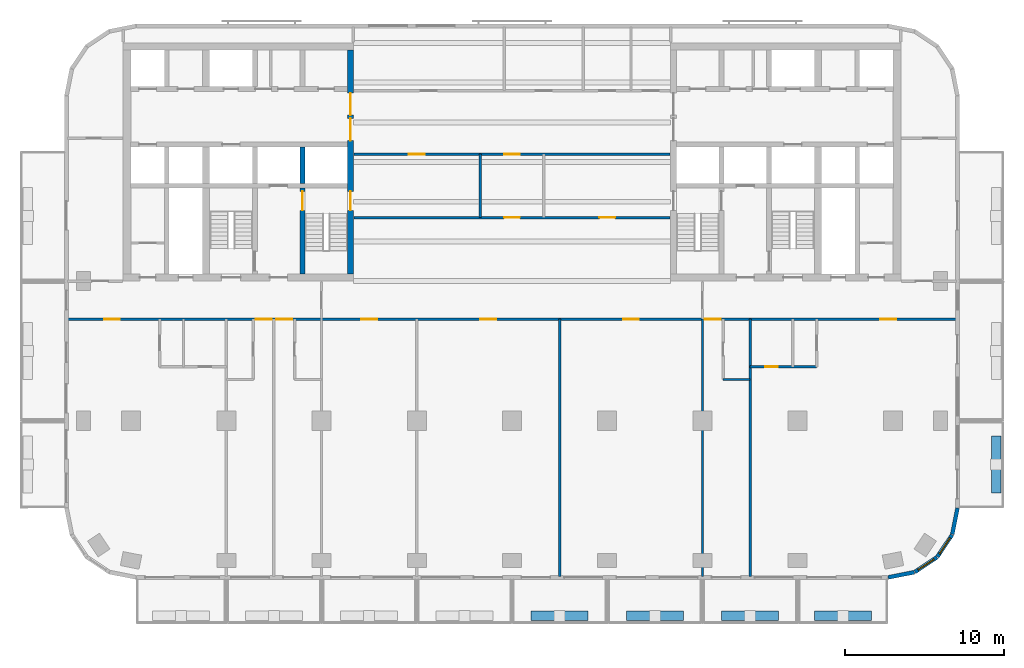
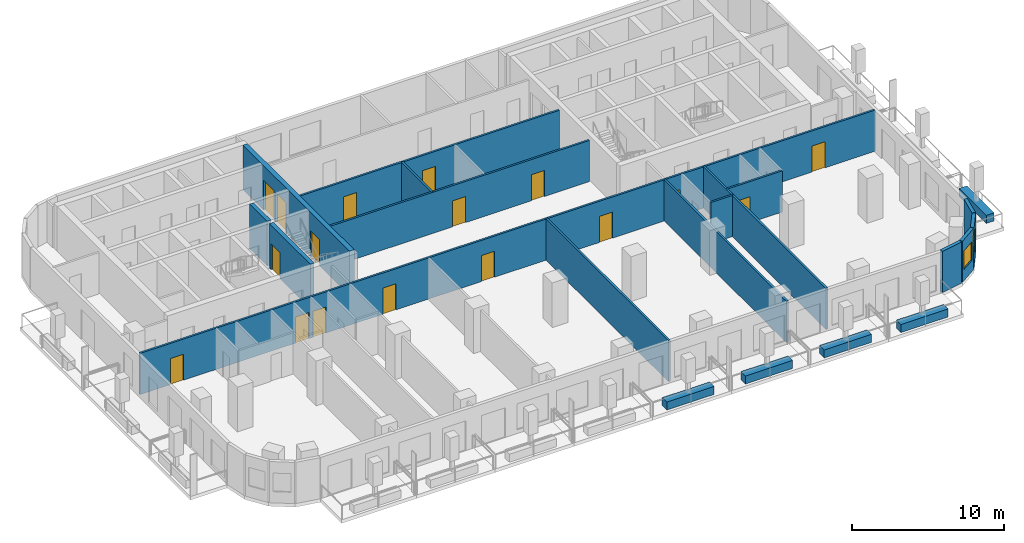
# One storey, part 4 of 11: 21 walls, 17 doors, 2 windows, 19 openings.
"""IFC4 building model written with IfcOpenShell, lengths in metres."""

from ifc_helpers import new_model, si_unit, direction, frame, frame_2d, origin, place, context, subcontext, project, spatial, rectangle, extrude, material, layer, layer_set, type_object, element, fill, save


model = new_model("IFC4")

# Units and contexts
model_context = context("Model", 3, precision=1e-05, world=origin(), true_north=direction((0.0, 1.0)))
body_context = subcontext(model_context, "Body", "Model", "MODEL_VIEW")
ifc_project = project(units=[si_unit("LENGTHUNIT", "METRE"), si_unit("AREAUNIT", "SQUARE_METRE"), si_unit("VOLUMEUNIT", "CUBIC_METRE"), si_unit("PLANEANGLEUNIT", "RADIAN"), si_unit("MASSUNIT", "GRAM", prefix="KILO")], contexts=[model_context])

# Site, building, storey
site_placement = place(None, origin())
site = spatial("IfcSite", under=ifc_project, at=site_placement, CompositionType="ELEMENT")
building_placement = place(site_placement, origin())
building = spatial("IfcBuilding", under=site, at=building_placement, Name="Torana Hotel and Residences", CompositionType="ELEMENT")
storey_placement = place(building_placement, frame((0.0, 0.0, 134.39990234375)))
storey = spatial("IfcBuildingStorey", under=building, at=storey_placement, Name="L34", CompositionType="ELEMENT", Elevation=134.39990234375)

# Wall
ifc_material_1 = material(Name="Concrete C70/85", Category="concrete")
ifc_layer_1 = layer(ifc_material_1, 0.300048828125)
ifc_layer_set_1 = layer_set([ifc_layer_1], Name="CORE WALL 300 C70/85")
wall_type_1 = type_object("IfcWallType", Name="CORE WALL 300 C70/85", PredefinedType="SHEAR", material=ifc_layer_set_1)
wall_1_placement = place(storey_placement, frame((-13.199951171875, -8.85009765625, 0.0), z_axis=(0.0, 0.0, 1.0), x_axis=(0.0, 1.0, 0.0)))
element("IfcWall", 1, at=wall_1_placement, inside=storey, type_object=wall_type_1, Name="Core wall W x3.05-S", PredefinedType="SHEAR", context=body_context, shape_type="SweptSolid", body=[
    extrude(rectangle(XDim=2.300048828125, YDim=0.300048828125, at=frame_2d((1.14990234375, 0.0))), origin(), (0.0, 0.0, 1.0), 3.60009765625),
])

# Wall, opening, door
wall_2_placement = place(storey_placement, frame((-13.199951171875, -14.550048828125, 0.0), z_axis=(0.0, 0.0, 1.0), x_axis=(0.0, 1.0, 0.0)))
wall_2 = element("IfcWall", 2, at=wall_2_placement, inside=storey, type_object=wall_type_1, Name="Core wall W x3.05-band", PredefinedType="SHEAR", context=body_context, shape_type="SweptSolid", body=[
    extrude(rectangle(XDim=5.400146484375, YDim=0.300048828125, at=frame_2d((2.7001953125, 0.0))), origin(), (0.0, 0.0, 1.0), 3.60009765625),
])
opening_1_placement = place(wall_2_placement, frame((4.0, 0.0, 0.0)))
opening_1 = element("IfcOpeningElement", 3, at=opening_1_placement, cuts=wall_2, Name="Opening L34-13", PredefinedType="OPENING", context=body_context, shape_type="SweptSolid", body=[
    extrude(rectangle(XDim=1.199951171875, YDim=2.10009765625, at=frame_2d((0.60009765625, 1.050048828125))), frame((0.0, 0.159912109375, 0.0), z_axis=(0.0, -1.0, 0.0), x_axis=(1.0, 0.0, 0.0)), (0.0, 0.0, 1.0), 0.320068359375),
])
ifc_material_2 = material(Name="Steel S235", Category="steel")
door_type_1 = type_object("IfcDoorType", Name="STAIR FIRE DOOR D3 1200x2100", OperationType="SINGLE_SWING_LEFT", PredefinedType="DOOR", material=ifc_material_2)
door_1_placement = place(opening_1_placement, frame((0.60009765625, 0.0, 0.0), z_axis=(0.0, 0.0, 1.0), x_axis=(-1.0, 0.0, 0.0)))
door_1 = element("IfcDoor", 4, at=door_1_placement, inside=storey, type_object=door_type_1, Name="Stair-A-lobby door L34", OperationType="SINGLE_SWING_RIGHT", OverallHeight=2.10009765625, OverallWidth=1.199951171875, PredefinedType="DOOR", context=body_context, shape_type="SweptSolid", body=[
    extrude(rectangle(XDim=1.199951171875, YDim=2.10009765625, at=frame_2d((0.0, 1.050048828125))), frame((0.0, -0.02490234375, 0.0), z_axis=(0.0, 1.0, 0.0), x_axis=(-1.0, 0.0, 0.0)), (0.0, 0.0, 1.0), 0.050048828125),
])
fill(opening_1, door_1)

# Wall, openings, doors
ifc_material_3 = material(Name="Concrete C70/85", Category="concrete")
ifc_layer_2 = layer(ifc_material_3, 0.35009765625)
ifc_layer_set_2 = layer_set([ifc_layer_2], Name="CORE WALL 350 C70/85")
wall_type_2 = type_object("IfcWallType", Name="CORE WALL 350 C70/85", PredefinedType="SHEAR", material=ifc_layer_set_2)
wall_3_placement = place(storey_placement, frame((-10.175048828125, -14.550048828125, 0.0), z_axis=(0.0, 0.0, 1.0), x_axis=(0.0, 1.0, 0.0)))
wall_3 = element("IfcWall", 5, at=wall_3_placement, inside=storey, type_object=wall_type_2, Name="Core wall W arch", PredefinedType="SHEAR", context=body_context, shape_type="SweptSolid", body=[
    extrude(rectangle(XDim=14.10009765625, YDim=0.35009765625, at=frame_2d((7.050048828125, 0.0))), origin(), (0.0, 0.0, 1.0), 3.60009765625),
])
opening_2_placement = place(wall_3_placement, frame((8.39990234375, 0.0, 0.0)))
opening_2 = element("IfcOpeningElement", 6, at=opening_2_placement, cuts=wall_3, Name="Opening L34-01", PredefinedType="OPENING", context=body_context, shape_type="SweptSolid", body=[
    extrude(rectangle(XDim=1.39990234375, YDim=2.39990234375, at=frame_2d((0.699951171875, 1.199951171875))), frame((0.0, 0.18505859375, 0.0), z_axis=(0.0, -1.0, 0.0), x_axis=(1.0, 0.0, 0.0)), (0.0, 0.0, 1.0), 0.3701171875),
])
opening_3_placement = place(wall_3_placement, frame((10.0, 0.0, 0.0)))
opening_3 = element("IfcOpeningElement", 7, at=opening_3_placement, cuts=wall_3, Name="Opening L34-02", PredefinedType="OPENING", context=body_context, shape_type="SweptSolid", body=[
    extrude(rectangle(XDim=1.39990234375, YDim=2.39990234375, at=frame_2d((0.699951171875, 1.199951171875))), frame((0.0, 0.18505859375, 0.0), z_axis=(0.0, -1.0, 0.0), x_axis=(1.0, 0.0, 0.0)), (0.0, 0.0, 1.0), 0.3701171875),
])
opening_4_placement = place(wall_3_placement, frame((4.0, 0.0, 0.0)))
opening_4 = element("IfcOpeningElement", 8, at=opening_4_placement, cuts=wall_3, Name="Opening L34-03", PredefinedType="OPENING", context=body_context, shape_type="SweptSolid", body=[
    extrude(rectangle(XDim=1.199951171875, YDim=2.10009765625, at=frame_2d((0.60009765625, 1.050048828125))), frame((0.0, 0.18505859375, 0.0), z_axis=(0.0, -1.0, 0.0), x_axis=(1.0, 0.0, 0.0)), (0.0, 0.0, 1.0), 0.3701171875),
])
ifc_material_4 = material(Name="Steel S235", Category="steel")
door_type_2 = type_object("IfcDoorType", Name="LOBBY FIRE DOOR D4 1400x2400", OperationType="DOUBLE_DOOR_SINGLE_SWING", PredefinedType="DOOR", material=ifc_material_4)
door_2_placement = place(opening_2_placement, origin())
door_2 = element("IfcDoor", 9, at=door_2_placement, inside=storey, type_object=door_type_2, Name="Lobby-1 door L34", OperationType="DOUBLE_DOOR_SINGLE_SWING", OverallHeight=2.39990234375, OverallWidth=1.39990234375, PredefinedType="DOOR", context=body_context, shape_type="SweptSolid", body=[
    extrude(rectangle(XDim=1.39990234375, YDim=2.39990234375, at=frame_2d((0.699951171875, 1.199951171875))), frame((0.0, 0.02490234375, 0.0), z_axis=(0.0, -1.0, 0.0), x_axis=(1.0, 0.0, 0.0)), (0.0, 0.0, 1.0), 0.050048828125),
])
fill(opening_2, door_2)
door_3_placement = place(opening_3_placement, origin())
door_3 = element("IfcDoor", 10, at=door_3_placement, inside=storey, type_object=door_type_2, Name="Lobby-2 door L34", OperationType="DOUBLE_DOOR_SINGLE_SWING", OverallHeight=2.39990234375, OverallWidth=1.39990234375, PredefinedType="DOOR", context=body_context, shape_type="SweptSolid", body=[
    extrude(rectangle(XDim=1.39990234375, YDim=2.39990234375, at=frame_2d((0.699951171875, 1.199951171875))), frame((0.0, 0.02490234375, 0.0), z_axis=(0.0, -1.0, 0.0), x_axis=(1.0, 0.0, 0.0)), (0.0, 0.0, 1.0), 0.050048828125),
])
fill(opening_3, door_3)
door_4_placement = place(opening_4_placement, origin())
door_4 = element("IfcDoor", 11, at=door_4_placement, inside=storey, type_object=door_type_1, Name="Stair-A door L34", OperationType="SINGLE_SWING_LEFT", OverallHeight=2.10009765625, OverallWidth=1.199951171875, PredefinedType="DOOR", context=body_context, shape_type="SweptSolid", body=[
    extrude(rectangle(XDim=1.199951171875, YDim=2.10009765625, at=frame_2d((0.60009765625, 1.050048828125))), frame((0.0, 0.02490234375, 0.0), z_axis=(0.0, -1.0, 0.0), x_axis=(1.0, 0.0, 0.0)), (0.0, 0.0, 1.0), 0.050048828125),
])
fill(opening_4, door_4)

# Wall
ifc_material_5 = material(Name="Black aluminium composite panel", Category="aluminium")
ifc_layer_3 = layer(ifc_material_5, 0.00390625, Name="Cladding", Category="cladding")
ifc_material_6 = material(Name="Ventilated air cavity")
ifc_layer_4 = layer(ifc_material_6, 0.0400390625, Name="Ventilated cavity", Category="cavity")
ifc_material_7 = material(Name="Mineral wool insulation")
ifc_layer_5 = layer(ifc_material_7, 0.090087890625, Name="Insulation", Category="insulation")
ifc_material_8 = material(Name="Steel S280GD", Category="steel")
ifc_layer_6 = layer(ifc_material_8, 0.092041015625, Name="Steel stud frame", Category="structure")
ifc_material_9 = material(Name="Fire rated plasterboard")
ifc_layer_7 = layer(ifc_material_9, 0.011962890625, Name="Inner board", Category="finish")
ifc_layer_8 = layer(ifc_material_9, 0.011962890625, Name="Second board", Category="finish")
ifc_layer_set_3 = layer_set([ifc_layer_3, ifc_layer_4, ifc_layer_5, ifc_layer_6, ifc_layer_7, ifc_layer_8], Name="EW1 EXTERNAL WALL BLACK METAL CLAD 250")
wall_type_3 = type_object("IfcWallType", Name="EW1 EXTERNAL WALL BLACK METAL CLAD 250", PredefinedType="SOLIDWALL", material=ifc_layer_set_3)
wall_4_placement = place(storey_placement, frame((23.69970703125, -33.672607421875, 0.0), z_axis=(0.0, 0.0, 1.0), x_axis=(0.980775640221, 0.19513878023, 0.0)))
element("IfcWall", 12, at=wall_4_placement, inside=storey, type_object=wall_type_3, Name="External wall L34 e0.15", PredefinedType="SOLIDWALL", context=body_context, shape_type="SweptSolid", body=[
    extrude(rectangle(XDim=1.681396484375, YDim=0.25, at=frame_2d((0.8408203125, 0.0))), origin(), (0.0, 0.0, 1.0), 3.320068359375),
])

# Wall, opening, window
wall_5_placement = place(storey_placement, frame((25.39404296875, -33.325927734375, 0.0), z_axis=(0.0, 0.0, 1.0), x_axis=(0.831482937015, 0.55555029066, 0.0)))
wall_5 = element("IfcWall", 13, at=wall_5_placement, inside=storey, type_object=wall_type_3, Name="External wall L34 e0.16", PredefinedType="SOLIDWALL", context=body_context, shape_type="SweptSolid", body=[
    extrude(rectangle(XDim=1.65625, YDim=0.25, at=frame_2d((0.828125, 0.0))), origin(), (0.0, 0.0, 1.0), 3.320068359375),
])
opening_5_placement = place(wall_5_placement, frame((0.228271484375, 0.0, 0.89990234375)))
opening_5 = element("IfcOpeningElement", 14, at=opening_5_placement, cuts=wall_5, Name="Opening W5", PredefinedType="OPENING", context=body_context, shape_type="SweptSolid", body=[
    extrude(rectangle(XDim=1.199951171875, YDim=1.5, at=frame_2d((0.60009765625, 0.75))), frame((0.0, 0.135009765625, 0.0), z_axis=(0.0, -1.0, 0.0), x_axis=(1.0, 0.0, 0.0)), (0.0, 0.0, 1.0), 0.27001953125),
])
ifc_material_10 = material(Name="Dark glass in black aluminium frame", Category="aluminium")
window_type = type_object("IfcWindowType", Name="W5 CORNER FACET WINDOW 1200x1500", PartitioningType="SINGLE_PANEL", PredefinedType="WINDOW", material=ifc_material_10)
window_1_placement = place(opening_5_placement, origin())
window_1 = element("IfcWindow", 15, at=window_1_placement, inside=storey, type_object=window_type, Name="Window L34 e0.16", OverallHeight=1.5, OverallWidth=1.199951171875, PartitioningType="SINGLE_PANEL", PredefinedType="WINDOW", context=body_context, shape_type="SweptSolid", body=[
    extrude(rectangle(XDim=1.199951171875, YDim=1.5, at=frame_2d((0.60009765625, 0.75))), frame((0.0, 0.030029296875, 0.0), z_axis=(0.0, -1.0, 0.0), x_axis=(1.0, 0.0, 0.0)), (0.0, 0.0, 1.0), 0.06005859375),
])
fill(opening_5, window_1)

wall_6_placement = place(storey_placement, frame((26.8056640625, -32.37109375, 0.0), z_axis=(0.0, 0.0, 1.0), x_axis=(0.55555029066, 0.831482937015, 0.0)))
wall_6 = element("IfcWall", 16, at=wall_6_placement, inside=storey, type_object=wall_type_3, Name="External wall L34 e0.17", PredefinedType="SOLIDWALL", context=body_context, shape_type="SweptSolid", body=[
    extrude(rectangle(XDim=1.65625, YDim=0.25, at=frame_2d((0.828125, 0.0))), origin(), (0.0, 0.0, 1.0), 3.320068359375),
])
opening_6_placement = place(wall_6_placement, frame((0.228271484375, 0.0, 0.89990234375)))
opening_6 = element("IfcOpeningElement", 17, at=opening_6_placement, cuts=wall_6, Name="Opening W5", PredefinedType="OPENING", context=body_context, shape_type="SweptSolid", body=[
    extrude(rectangle(XDim=1.199951171875, YDim=1.5, at=frame_2d((0.60009765625, 0.75))), frame((0.0, 0.135009765625, 0.0), z_axis=(0.0, -1.0, 0.0), x_axis=(1.0, 0.0, 0.0)), (0.0, 0.0, 1.0), 0.27001953125),
])
window_2_placement = place(opening_6_placement, origin())
window_2 = element("IfcWindow", 18, at=window_2_placement, inside=storey, type_object=window_type, Name="Window L34 e0.17", OverallHeight=1.5, OverallWidth=1.199951171875, PartitioningType="SINGLE_PANEL", PredefinedType="WINDOW", context=body_context, shape_type="SweptSolid", body=[
    extrude(rectangle(XDim=1.199951171875, YDim=1.5, at=frame_2d((0.60009765625, 0.75))), frame((0.0, 0.030029296875, 0.0), z_axis=(0.0, -1.0, 0.0), x_axis=(1.0, 0.0, 0.0)), (0.0, 0.0, 1.0), 0.06005859375),
])
fill(opening_6, window_2)

# Walls
wall_7_placement = place(storey_placement, frame((27.74462890625, -30.948974609375, 0.0), z_axis=(0.0, 0.0, 1.0), x_axis=(0.194999110559, 0.980803419081, 0.0)))
element("IfcWall", 19, at=wall_7_placement, inside=storey, type_object=wall_type_3, Name="External wall L34 e0.18", PredefinedType="SOLIDWALL", context=body_context, shape_type="SweptSolid", body=[
    extrude(rectangle(XDim=1.681396484375, YDim=0.25, at=frame_2d((0.8408203125, 0.0))), origin(), (0.0, 0.0, 1.0), 3.320068359375),
])
ifc_material_11 = material(Name="Gypsum plaster")
ifc_layer_9 = layer(ifc_material_11, 0.014892578125, Name="Plaster", Category="finish")
ifc_material_12 = material(Name="Concrete blockwork", Category="masonry")
ifc_layer_10 = layer(ifc_material_12, 0.1201171875, Name="Blockwork", Category="structure")
ifc_layer_11 = layer(ifc_material_11, 0.014892578125, Name="Plaster", Category="finish")
ifc_layer_set_4 = layer_set([ifc_layer_9, ifc_layer_10, ifc_layer_11], Name="FIRE PARTITION 150 BLOCKWORK")
wall_type_4 = type_object("IfcWallType", Name="FIRE PARTITION 150 BLOCKWORK", PredefinedType="PARTITIONING", material=ifc_layer_set_4)
wall_8_placement = place(storey_placement, frame((-2.0, -11.0, 0.0), z_axis=(0.0, 0.0, 1.0), x_axis=(0.0, 1.0, 0.0)))
element("IfcWall", 20, at=wall_8_placement, inside=storey, type_object=wall_type_4, Name="Partition L34", PredefinedType="PARTITIONING", context=body_context, shape_type="SweptSolid", body=[
    extrude(rectangle(XDim=4.0, YDim=0.14990234375, at=frame_2d((2.0, 0.0))), origin(), (0.0, 0.0, 1.0), 3.320068359375),
])

# Wall, openings, doors
wall_9_placement = place(storey_placement, frame((-28.02001953125, -17.39990234375, 0.0), z_axis=(0.0, 0.0, 1.0), x_axis=(1.0, 0.0, 0.0)))
wall_9 = element("IfcWall", 21, at=wall_9_placement, inside=storey, type_object=wall_type_4, Name="Partition L34", PredefinedType="PARTITIONING", context=body_context, shape_type="SweptSolid", body=[
    extrude(rectangle(XDim=56.0400390625, YDim=0.14990234375, at=frame_2d((28.02001953125, 0.0))), origin(), (0.0, 0.0, 1.0), 3.320068359375),
])
opening_7_placement = place(wall_9_placement, frame((13.169921875, 0.0, 0.0)))
opening_7 = element("IfcOpeningElement", 22, at=opening_7_placement, cuts=wall_9, Name="Opening L34-32", PredefinedType="OPENING", context=body_context, shape_type="SweptSolid", body=[
    extrude(rectangle(XDim=1.0, YDim=2.10009765625, at=frame_2d((0.5, 1.050048828125))), frame((0.0, 0.0849609375, 0.0), z_axis=(0.0, -1.0, 0.0), x_axis=(1.0, 0.0, 0.0)), (0.0, 0.0, 1.0), 0.169921875),
])
opening_8_placement = place(wall_9_placement, frame((11.8701171875, 0.0, 0.0)))
opening_8 = element("IfcOpeningElement", 23, at=opening_8_placement, cuts=wall_9, Name="Opening L34-33", PredefinedType="OPENING", context=body_context, shape_type="SweptSolid", body=[
    extrude(rectangle(XDim=1.0, YDim=2.10009765625, at=frame_2d((0.5, 1.050048828125))), frame((0.0, 0.0849609375, 0.0), z_axis=(0.0, -1.0, 0.0), x_axis=(1.0, 0.0, 0.0)), (0.0, 0.0, 1.0), 0.169921875),
])
opening_9_placement = place(wall_9_placement, frame((2.320068359375, 0.0, 0.0)))
opening_9 = element("IfcOpeningElement", 24, at=opening_9_placement, cuts=wall_9, Name="Opening L34-34", PredefinedType="OPENING", context=body_context, shape_type="SweptSolid", body=[
    extrude(rectangle(XDim=1.0, YDim=2.10009765625, at=frame_2d((0.5, 1.050048828125))), frame((0.0, 0.0849609375, 0.0), z_axis=(0.0, -1.0, 0.0), x_axis=(1.0, 0.0, 0.0)), (0.0, 0.0, 1.0), 0.169921875),
])
opening_10_placement = place(wall_9_placement, frame((40.169921875, 0.0, 0.0)))
opening_10 = element("IfcOpeningElement", 25, at=opening_10_placement, cuts=wall_9, Name="Opening L34-37", PredefinedType="OPENING", context=body_context, shape_type="SweptSolid", body=[
    extrude(rectangle(XDim=1.0, YDim=2.10009765625, at=frame_2d((0.5, 1.050048828125))), frame((0.0, 0.0849609375, 0.0), z_axis=(0.0, -1.0, 0.0), x_axis=(1.0, 0.0, 0.0)), (0.0, 0.0, 1.0), 0.169921875),
])
opening_11_placement = place(wall_9_placement, frame((51.219970703125, 0.0, 0.0)))
opening_11 = element("IfcOpeningElement", 26, at=opening_11_placement, cuts=wall_9, Name="Opening L34-38", PredefinedType="OPENING", context=body_context, shape_type="SweptSolid", body=[
    extrude(rectangle(XDim=1.0, YDim=2.10009765625, at=frame_2d((0.5, 1.050048828125))), frame((0.0, 0.0849609375, 0.0), z_axis=(0.0, -1.0, 0.0), x_axis=(1.0, 0.0, 0.0)), (0.0, 0.0, 1.0), 0.169921875),
])
opening_12_placement = place(wall_9_placement, frame((18.52001953125, 0.0, 0.0)))
opening_12 = element("IfcOpeningElement", 27, at=opening_12_placement, cuts=wall_9, Name="Opening L34-41", PredefinedType="OPENING", context=body_context, shape_type="SweptSolid", body=[
    extrude(rectangle(XDim=1.0, YDim=2.10009765625, at=frame_2d((0.5, 1.050048828125))), frame((0.0, 0.0849609375, 0.0), z_axis=(0.0, -1.0, 0.0), x_axis=(1.0, 0.0, 0.0)), (0.0, 0.0, 1.0), 0.169921875),
])
opening_13_placement = place(wall_9_placement, frame((26.02001953125, 0.0, 0.0)))
opening_13 = element("IfcOpeningElement", 28, at=opening_13_placement, cuts=wall_9, Name="Opening L34-42", PredefinedType="OPENING", context=body_context, shape_type="SweptSolid", body=[
    extrude(rectangle(XDim=1.0, YDim=2.10009765625, at=frame_2d((0.5, 1.050048828125))), frame((0.0, 0.0849609375, 0.0), z_axis=(0.0, -1.0, 0.0), x_axis=(1.0, 0.0, 0.0)), (0.0, 0.0, 1.0), 0.169921875),
])
opening_14_placement = place(wall_9_placement, frame((35.02001953125, 0.0, 0.0)))
opening_14 = element("IfcOpeningElement", 29, at=opening_14_placement, cuts=wall_9, Name="Opening L34-43", PredefinedType="OPENING", context=body_context, shape_type="SweptSolid", body=[
    extrude(rectangle(XDim=1.0, YDim=2.10009765625, at=frame_2d((0.5, 1.050048828125))), frame((0.0, 0.0849609375, 0.0), z_axis=(0.0, -1.0, 0.0), x_axis=(1.0, 0.0, 0.0)), (0.0, 0.0, 1.0), 0.169921875),
])
ifc_material_13 = material(Name="Steel S235", Category="steel")
door_type_3 = type_object("IfcDoorType", Name="ENTRY FIRE DOOR D6 1000x2100", OperationType="SINGLE_SWING_LEFT", PredefinedType="DOOR", material=ifc_material_13)
door_5_placement = place(opening_7_placement, frame((0.5, 0.0, 0.0), z_axis=(0.0, 0.0, 1.0), x_axis=(-1.0, 0.0, 0.0)))
door_5 = element("IfcDoor", 30, at=door_5_placement, inside=storey, type_object=door_type_3, Name="Door L34", OperationType="SINGLE_SWING_LEFT", OverallHeight=2.10009765625, OverallWidth=1.0, PredefinedType="DOOR", context=body_context, shape_type="SweptSolid", body=[
    extrude(rectangle(XDim=1.0, YDim=2.10009765625, at=frame_2d((0.0, 1.050048828125))), frame((0.0, -0.02490234375, 0.0), z_axis=(0.0, 1.0, 0.0), x_axis=(-1.0, 0.0, 0.0)), (0.0, 0.0, 1.0), 0.050048828125),
])
fill(opening_7, door_5)
door_6_placement = place(opening_8_placement, frame((0.5, 0.0, 0.0), z_axis=(0.0, 0.0, 1.0), x_axis=(-1.0, 0.0, 0.0)))
door_6 = element("IfcDoor", 31, at=door_6_placement, inside=storey, type_object=door_type_3, Name="Door L34", OperationType="SINGLE_SWING_LEFT", OverallHeight=2.10009765625, OverallWidth=1.0, PredefinedType="DOOR", context=body_context, shape_type="SweptSolid", body=[
    extrude(rectangle(XDim=1.0, YDim=2.10009765625, at=frame_2d((0.0, 1.050048828125))), frame((0.0, -0.02490234375, 0.0), z_axis=(0.0, 1.0, 0.0), x_axis=(-1.0, 0.0, 0.0)), (0.0, 0.0, 1.0), 0.050048828125),
])
fill(opening_8, door_6)
door_7_placement = place(opening_9_placement, frame((0.5, 0.0, 0.0), z_axis=(0.0, 0.0, 1.0), x_axis=(-1.0, 0.0, 0.0)))
door_7 = element("IfcDoor", 32, at=door_7_placement, inside=storey, type_object=door_type_3, Name="Door L34", OperationType="SINGLE_SWING_LEFT", OverallHeight=2.10009765625, OverallWidth=1.0, PredefinedType="DOOR", context=body_context, shape_type="SweptSolid", body=[
    extrude(rectangle(XDim=1.0, YDim=2.10009765625, at=frame_2d((0.0, 1.050048828125))), frame((0.0, -0.02490234375, 0.0), z_axis=(0.0, 1.0, 0.0), x_axis=(-1.0, 0.0, 0.0)), (0.0, 0.0, 1.0), 0.050048828125),
])
fill(opening_9, door_7)
door_8_placement = place(opening_10_placement, frame((0.5, 0.0, 0.0), z_axis=(0.0, 0.0, 1.0), x_axis=(-1.0, 0.0, 0.0)))
door_8 = element("IfcDoor", 33, at=door_8_placement, inside=storey, type_object=door_type_3, Name="Door L34", OperationType="SINGLE_SWING_LEFT", OverallHeight=2.10009765625, OverallWidth=1.0, PredefinedType="DOOR", context=body_context, shape_type="SweptSolid", body=[
    extrude(rectangle(XDim=1.0, YDim=2.10009765625, at=frame_2d((0.0, 1.050048828125))), frame((0.0, -0.02490234375, 0.0), z_axis=(0.0, 1.0, 0.0), x_axis=(-1.0, 0.0, 0.0)), (0.0, 0.0, 1.0), 0.050048828125),
])
fill(opening_10, door_8)
door_9_placement = place(opening_11_placement, frame((0.5, 0.0, 0.0), z_axis=(0.0, 0.0, 1.0), x_axis=(-1.0, 0.0, 0.0)))
door_9 = element("IfcDoor", 34, at=door_9_placement, inside=storey, type_object=door_type_3, Name="Door L34", OperationType="SINGLE_SWING_LEFT", OverallHeight=2.10009765625, OverallWidth=1.0, PredefinedType="DOOR", context=body_context, shape_type="SweptSolid", body=[
    extrude(rectangle(XDim=1.0, YDim=2.10009765625, at=frame_2d((0.0, 1.050048828125))), frame((0.0, -0.02490234375, 0.0), z_axis=(0.0, 1.0, 0.0), x_axis=(-1.0, 0.0, 0.0)), (0.0, 0.0, 1.0), 0.050048828125),
])
fill(opening_11, door_9)
door_10_placement = place(opening_12_placement, frame((0.5, 0.0, 0.0), z_axis=(0.0, 0.0, 1.0), x_axis=(-1.0, 0.0, 0.0)))
door_10 = element("IfcDoor", 35, at=door_10_placement, inside=storey, type_object=door_type_3, Name="Door L34", OperationType="SINGLE_SWING_LEFT", OverallHeight=2.10009765625, OverallWidth=1.0, PredefinedType="DOOR", context=body_context, shape_type="SweptSolid", body=[
    extrude(rectangle(XDim=1.0, YDim=2.10009765625, at=frame_2d((0.0, 1.050048828125))), frame((0.0, -0.02490234375, 0.0), z_axis=(0.0, 1.0, 0.0), x_axis=(-1.0, 0.0, 0.0)), (0.0, 0.0, 1.0), 0.050048828125),
])
fill(opening_12, door_10)
door_11_placement = place(opening_13_placement, frame((0.5, 0.0, 0.0), z_axis=(0.0, 0.0, 1.0), x_axis=(-1.0, 0.0, 0.0)))
door_11 = element("IfcDoor", 36, at=door_11_placement, inside=storey, type_object=door_type_3, Name="Door L34", OperationType="SINGLE_SWING_LEFT", OverallHeight=2.10009765625, OverallWidth=1.0, PredefinedType="DOOR", context=body_context, shape_type="SweptSolid", body=[
    extrude(rectangle(XDim=1.0, YDim=2.10009765625, at=frame_2d((0.0, 1.050048828125))), frame((0.0, -0.02490234375, 0.0), z_axis=(0.0, 1.0, 0.0), x_axis=(-1.0, 0.0, 0.0)), (0.0, 0.0, 1.0), 0.050048828125),
])
fill(opening_13, door_11)
door_12_placement = place(opening_14_placement, frame((0.5, 0.0, 0.0), z_axis=(0.0, 0.0, 1.0), x_axis=(-1.0, 0.0, 0.0)))
door_12 = element("IfcDoor", 37, at=door_12_placement, inside=storey, type_object=door_type_3, Name="Door L34", OperationType="SINGLE_SWING_LEFT", OverallHeight=2.10009765625, OverallWidth=1.0, PredefinedType="DOOR", context=body_context, shape_type="SweptSolid", body=[
    extrude(rectangle(XDim=1.0, YDim=2.10009765625, at=frame_2d((0.0, 1.050048828125))), frame((0.0, -0.02490234375, 0.0), z_axis=(0.0, 1.0, 0.0), x_axis=(-1.0, 0.0, 0.0)), (0.0, 0.0, 1.0), 0.050048828125),
])
fill(opening_14, door_12)

wall_10_placement = place(storey_placement, frame((-9.949951171875, -11.0, 0.0), z_axis=(0.0, 0.0, 1.0), x_axis=(1.0, 0.0, 0.0)))
wall_10 = element("IfcWall", 38, at=wall_10_placement, inside=storey, type_object=wall_type_4, Name="Partition L34", PredefinedType="PARTITIONING", context=body_context, shape_type="SweptSolid", body=[
    extrude(rectangle(XDim=19.89990234375, YDim=0.14990234375, at=frame_2d((9.949951171875, 0.0))), origin(), (0.0, 0.0, 1.0), 3.320068359375),
])
opening_15_placement = place(wall_10_placement, frame((9.449951171875, 0.0, 0.0)))
opening_15 = element("IfcOpeningElement", 39, at=opening_15_placement, cuts=wall_10, Name="Opening L34-40", PredefinedType="OPENING", context=body_context, shape_type="SweptSolid", body=[
    extrude(rectangle(XDim=1.0, YDim=2.10009765625, at=frame_2d((0.5, 1.050048828125))), frame((0.0, 0.0849609375, 0.0), z_axis=(0.0, -1.0, 0.0), x_axis=(1.0, 0.0, 0.0)), (0.0, 0.0, 1.0), 0.169921875),
])
opening_16_placement = place(wall_10_placement, frame((15.449951171875, 0.0, 0.0)))
opening_16 = element("IfcOpeningElement", 40, at=opening_16_placement, cuts=wall_10, Name="Opening L34-44", PredefinedType="OPENING", context=body_context, shape_type="SweptSolid", body=[
    extrude(rectangle(XDim=1.0, YDim=2.10009765625, at=frame_2d((0.5, 1.050048828125))), frame((0.0, 0.0849609375, 0.0), z_axis=(0.0, -1.0, 0.0), x_axis=(1.0, 0.0, 0.0)), (0.0, 0.0, 1.0), 0.169921875),
])
door_13_placement = place(opening_15_placement, origin())
door_13 = element("IfcDoor", 41, at=door_13_placement, inside=storey, type_object=door_type_3, Name="Door L34", OperationType="SINGLE_SWING_RIGHT", OverallHeight=2.10009765625, OverallWidth=1.0, PredefinedType="DOOR", context=body_context, shape_type="SweptSolid", body=[
    extrude(rectangle(XDim=1.0, YDim=2.10009765625, at=frame_2d((0.5, 1.050048828125))), frame((0.0, 0.02490234375, 0.0), z_axis=(0.0, -1.0, 0.0), x_axis=(1.0, 0.0, 0.0)), (0.0, 0.0, 1.0), 0.050048828125),
])
fill(opening_15, door_13)
door_14_placement = place(opening_16_placement, origin())
door_14 = element("IfcDoor", 42, at=door_14_placement, inside=storey, type_object=door_type_3, Name="Door L34", OperationType="SINGLE_SWING_RIGHT", OverallHeight=2.10009765625, OverallWidth=1.0, PredefinedType="DOOR", context=body_context, shape_type="SweptSolid", body=[
    extrude(rectangle(XDim=1.0, YDim=2.10009765625, at=frame_2d((0.5, 1.050048828125))), frame((0.0, 0.02490234375, 0.0), z_axis=(0.0, -1.0, 0.0), x_axis=(1.0, 0.0, 0.0)), (0.0, 0.0, 1.0), 0.050048828125),
])
fill(opening_16, door_14)

wall_11_placement = place(storey_placement, frame((-9.949951171875, -7.0, 0.0), z_axis=(0.0, 0.0, 1.0), x_axis=(1.0, 0.0, 0.0)))
wall_11 = element("IfcWall", 43, at=wall_11_placement, inside=storey, type_object=wall_type_4, Name="Partition L34", PredefinedType="PARTITIONING", context=body_context, shape_type="SweptSolid", body=[
    extrude(rectangle(XDim=19.89990234375, YDim=0.14990234375, at=frame_2d((9.949951171875, 0.0))), origin(), (0.0, 0.0, 1.0), 3.320068359375),
])
opening_17_placement = place(wall_11_placement, frame((9.449951171875, 0.0, 0.0)))
opening_17 = element("IfcOpeningElement", 44, at=opening_17_placement, cuts=wall_11, Name="Opening L34-45", PredefinedType="OPENING", context=body_context, shape_type="SweptSolid", body=[
    extrude(rectangle(XDim=1.0, YDim=2.10009765625, at=frame_2d((0.5, 1.050048828125))), frame((0.0, 0.0849609375, 0.0), z_axis=(0.0, -1.0, 0.0), x_axis=(1.0, 0.0, 0.0)), (0.0, 0.0, 1.0), 0.169921875),
])
opening_18_placement = place(wall_11_placement, frame((3.449951171875, 0.0, 0.0)))
opening_18 = element("IfcOpeningElement", 45, at=opening_18_placement, cuts=wall_11, Name="Opening L34-46", PredefinedType="OPENING", context=body_context, shape_type="SweptSolid", body=[
    extrude(rectangle(XDim=1.0, YDim=2.10009765625, at=frame_2d((0.5, 1.050048828125))), frame((0.0, 0.0849609375, 0.0), z_axis=(0.0, -1.0, 0.0), x_axis=(1.0, 0.0, 0.0)), (0.0, 0.0, 1.0), 0.169921875),
])
door_15_placement = place(opening_17_placement, origin())
door_15 = element("IfcDoor", 46, at=door_15_placement, inside=storey, type_object=door_type_3, Name="Door L34", OperationType="SINGLE_SWING_RIGHT", OverallHeight=2.10009765625, OverallWidth=1.0, PredefinedType="DOOR", context=body_context, shape_type="SweptSolid", body=[
    extrude(rectangle(XDim=1.0, YDim=2.10009765625, at=frame_2d((0.5, 1.050048828125))), frame((0.0, 0.02490234375, 0.0), z_axis=(0.0, -1.0, 0.0), x_axis=(1.0, 0.0, 0.0)), (0.0, 0.0, 1.0), 0.050048828125),
])
fill(opening_17, door_15)
door_16_placement = place(opening_18_placement, frame((0.5, 0.0, 0.0), z_axis=(0.0, 0.0, 1.0), x_axis=(-1.0, 0.0, 0.0)))
door_16 = element("IfcDoor", 47, at=door_16_placement, inside=storey, type_object=door_type_3, Name="Door L34", OperationType="SINGLE_SWING_LEFT", OverallHeight=2.10009765625, OverallWidth=1.0, PredefinedType="DOOR", context=body_context, shape_type="SweptSolid", body=[
    extrude(rectangle(XDim=1.0, YDim=2.10009765625, at=frame_2d((0.0, 1.050048828125))), frame((0.0, -0.02490234375, 0.0), z_axis=(0.0, 1.0, 0.0), x_axis=(-1.0, 0.0, 0.0)), (0.0, 0.0, 1.0), 0.050048828125),
])
fill(opening_18, door_16)

# Walls
ifc_material_14 = material(Name="Gypsum plasterboard")
ifc_layer_12 = layer(ifc_material_14, 0.012451171875, Name="Plasterboard", Category="finish")
ifc_layer_13 = layer(ifc_material_14, 0.012451171875, Name="Plasterboard", Category="finish")
ifc_layer_14 = layer(ifc_material_8, 0.10009765625, Name="Steel studs with mineral wool", Category="insulation")
ifc_layer_15 = layer(ifc_material_14, 0.012451171875, Name="Plasterboard", Category="finish")
ifc_layer_16 = layer(ifc_material_14, 0.012451171875, Name="Plasterboard", Category="finish")
ifc_layer_set_5 = layer_set([ifc_layer_12, ifc_layer_13, ifc_layer_14, ifc_layer_15, ifc_layer_16], Name="PARTITION 150 PLASTERBOARD")
wall_type_5 = type_object("IfcWallType", Name="PARTITION 150 PLASTERBOARD", PredefinedType="PARTITIONING", material=ifc_layer_set_5)
for number, where, z_axis, x_axis, name in (
    (48, (15.0, -33.6201171875, 0.0), (0.0, 0.0, 1.0), (0.0, 1.0, 0.0), "Partition L34"),
    (49, (12.0, -33.6201171875, 0.0), (0.0, 0.0, 1.0), (0.0, 1.0, 0.0), "Partition L34"),
    (50, (3.0, -33.6201171875, 0.0), (0.0, 0.0, 1.0), (0.0, 1.0, 0.0), "Partition L34"),
):
    element("IfcWall", number, at=place(storey_placement, frame(where, z_axis=z_axis, x_axis=x_axis)), inside=storey, type_object=wall_type_5, Name=name, PredefinedType="PARTITIONING", context=body_context, shape_type="SweptSolid", body=[
        extrude(rectangle(XDim=16.22021484375, YDim=0.14990234375, at=frame_2d((8.110107421875, 0.0))), origin(), (0.0, 0.0, 1.0), 3.320068359375),
    ])
wall_12_placement = place(storey_placement, frame((13.300048828125, -21.199951171875, 0.0), z_axis=(0.0, 0.0, 1.0), x_axis=(1.0, 0.0, 0.0)))
element("IfcWall", 51, at=wall_12_placement, inside=storey, type_object=wall_type_5, Name="Partition L34", PredefinedType="PARTITIONING", context=body_context, shape_type="SweptSolid", body=[
    extrude(rectangle(XDim=1.699951171875, YDim=0.14990234375, at=frame_2d((0.85009765625, 0.0))), origin(), (0.0, 0.0, 1.0), 3.320068359375),
])

# Wall, opening, door
wall_13_placement = place(storey_placement, frame((15.0, -20.39990234375, 0.0), z_axis=(0.0, 0.0, 1.0), x_axis=(1.0, 0.0, 0.0)))
wall_13 = element("IfcWall", 52, at=wall_13_placement, inside=storey, type_object=wall_type_5, Name="Partition L34", PredefinedType="PARTITIONING", context=body_context, shape_type="SweptSolid", body=[
    extrude(rectangle(XDim=4.199951171875, YDim=0.14990234375, at=frame_2d((2.10009765625, 0.0))), origin(), (0.0, 0.0, 1.0), 3.320068359375),
])
opening_19_placement = place(wall_13_placement, frame((0.949951171875, 0.0, 0.0)))
opening_19 = element("IfcOpeningElement", 53, at=opening_19_placement, cuts=wall_13, Name="Opening L34-56", PredefinedType="OPENING", context=body_context, shape_type="SweptSolid", body=[
    extrude(rectangle(XDim=0.800048828125, YDim=2.10009765625, at=frame_2d((0.39990234375, 1.050048828125))), frame((0.0, 0.0849609375, 0.0), z_axis=(0.0, -1.0, 0.0), x_axis=(1.0, 0.0, 0.0)), (0.0, 0.0, 1.0), 0.169921875),
])
ifc_material_15 = material(Name="Timber door, painted", Category="wood")
door_type_4 = type_object("IfcDoorType", Name="BATH DOOR D13 800x2100", OperationType="SINGLE_SWING_LEFT", PredefinedType="DOOR", material=ifc_material_15)
door_17_placement = place(opening_19_placement, origin())
door_17 = element("IfcDoor", 54, at=door_17_placement, inside=storey, type_object=door_type_4, Name="Door L34", OperationType="SINGLE_SWING_RIGHT", OverallHeight=2.10009765625, OverallWidth=0.800048828125, PredefinedType="DOOR", context=body_context, shape_type="SweptSolid", body=[
    extrude(rectangle(XDim=0.800048828125, YDim=2.10009765625, at=frame_2d((0.39990234375, 1.050048828125))), frame((0.0, 0.02490234375, 0.0), z_axis=(0.0, -1.0, 0.0), x_axis=(1.0, 0.0, 0.0)), (0.0, 0.0, 1.0), 0.050048828125),
])
fill(opening_19, door_17)

# Walls
ifc_material_16 = material(Name="Concrete C40/50 precast", Category="concrete")
ifc_layer_17 = layer(ifc_material_16, 0.10009765625, Name="Planter shell", Category="structure")
ifc_material_17 = material(Name="Root resistant membrane")
ifc_layer_18 = layer(ifc_material_17, 0.00390625, Name="Waterproofing membrane", Category="membrane")
ifc_material_18 = material(Name="Drainage board with filter fleece")
ifc_layer_19 = layer(ifc_material_18, 0.02001953125, Name="Drainage board", Category="drainage")
ifc_material_19 = material(Name="Growing medium")
ifc_layer_20 = layer(ifc_material_19, 0.47607421875, Name="Planting substrate", Category="soil")
ifc_layer_set_6 = layer_set([ifc_layer_17, ifc_layer_18, ifc_layer_19, ifc_layer_20], Name="PL1 BALCONY PLANTER 600")
wall_type_6 = type_object("IfcWallType", Name="PL1 BALCONY PLANTER 600", PredefinedType="USERDEFINED", material=ifc_layer_set_6)
for number, where, z_axis, x_axis, name in (
    (55, (4.800048828125, -36.10009765625, 0.0), (0.0, 0.0, 1.0), (-1.0, 0.0, 0.0), "Planter 05"),
    (56, (10.800048828125, -36.10009765625, 0.0), (0.0, 0.0, 1.0), (-1.0, 0.0, 0.0), "Planter 06"),
    (57, (16.800048828125, -36.10009765625, 0.0), (0.0, 0.0, 1.0), (-1.0, 0.0, 0.0), "Planter 07"),
):
    element("IfcWall", number, at=place(storey_placement, frame(where, z_axis=z_axis, x_axis=x_axis)), inside=storey, type_object=wall_type_6, Name=name, ObjectType="PLANTER", PredefinedType="USERDEFINED", context=body_context, shape_type="SweptSolid", body=[
        extrude(rectangle(XDim=3.60009765625, YDim=0.60009765625, at=frame_2d((1.800048828125, 0.0))), origin(), (0.0, 0.0, 1.0), 0.650146484375),
    ])
wall_14_placement = place(storey_placement, frame((22.64990234375, -36.10009765625, 0.0), z_axis=(0.0, 0.0, 1.0), x_axis=(-1.0, 0.0, 0.0)))
element("IfcWall", 58, at=wall_14_placement, inside=storey, type_object=wall_type_6, Name="Planter 08", ObjectType="PLANTER", PredefinedType="USERDEFINED", context=body_context, shape_type="SweptSolid", body=[
    extrude(rectangle(XDim=3.599853515625, YDim=0.60009765625, at=frame_2d((1.7998046875, 0.0))), origin(), (0.0, 0.0, 1.0), 0.650146484375),
])
wall_15_placement = place(storey_placement, frame((30.5, -24.75, 0.0), z_axis=(0.0, 0.0, 1.0), x_axis=(0.0, -1.0, 0.0)))
element("IfcWall", 59, at=wall_15_placement, inside=storey, type_object=wall_type_6, Name="Planter 12", ObjectType="PLANTER", PredefinedType="USERDEFINED", context=body_context, shape_type="SweptSolid", body=[
    extrude(rectangle(XDim=3.60009765625, YDim=0.60009765625, at=frame_2d((1.800048828125, 0.0))), origin(), (0.0, 0.0, 1.0), 0.650146484375),
])

save(model, "model.ifc")
